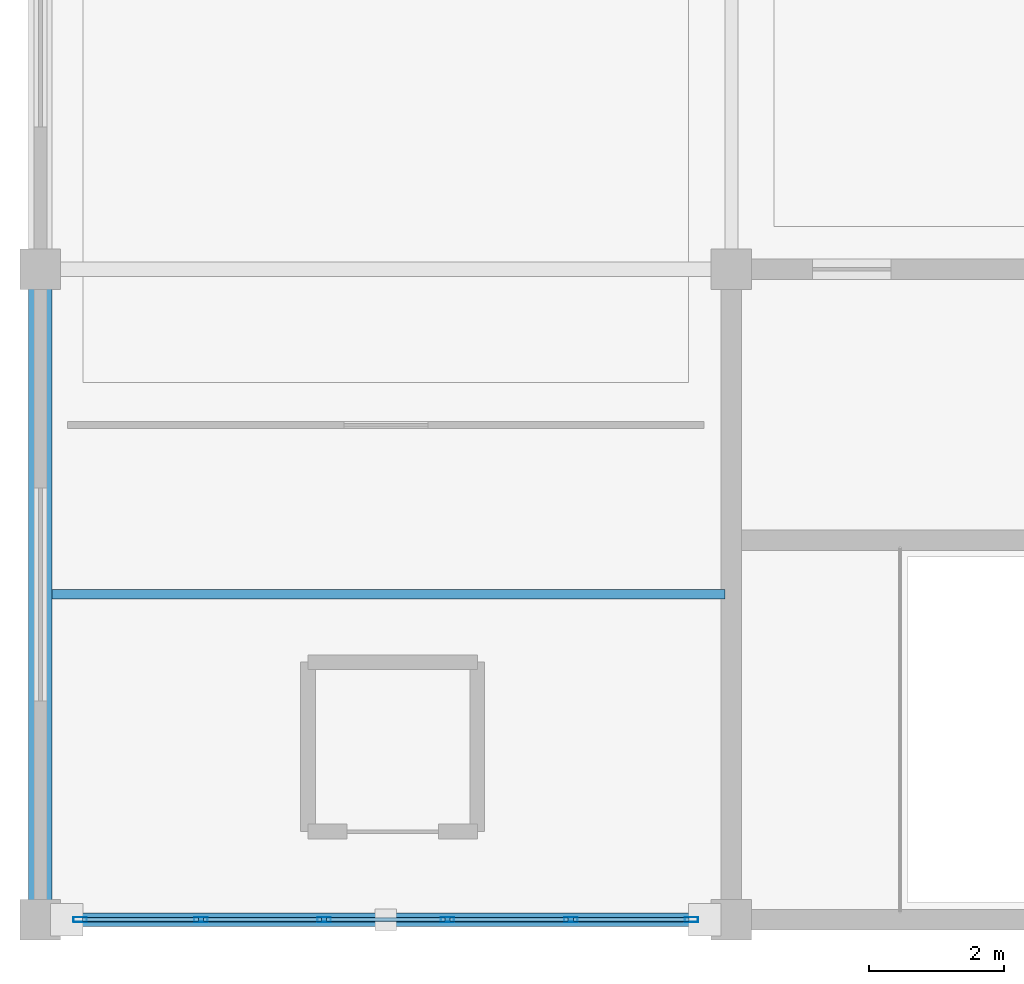
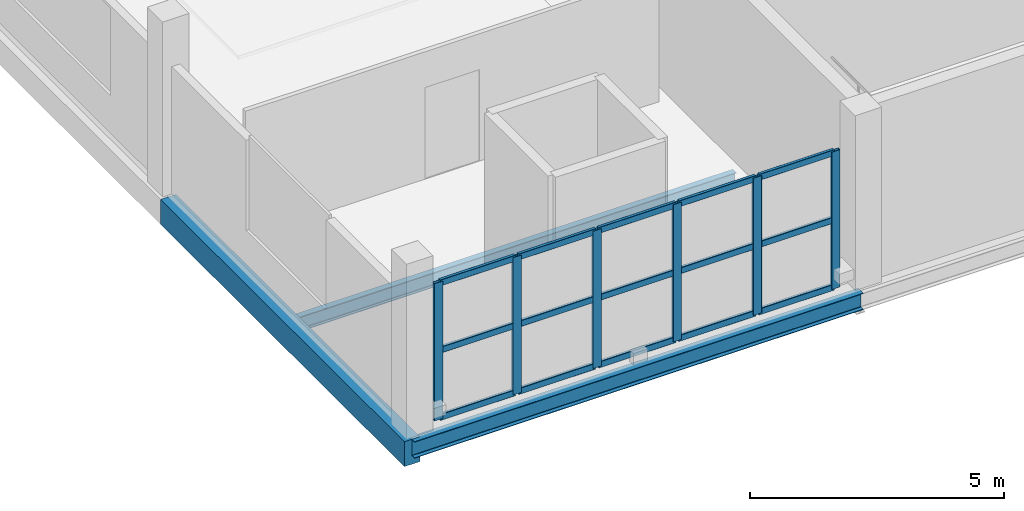
# One storey, part 2 of 12: 21 members, 3 beams, 1 element without a shape of its own.
"""IFC4 building model written with IfcOpenShell, lengths in metres."""

from ifc_helpers import new_model, si_unit, direction, frame, origin, origin_2d, place, context, subcontext, project, spatial, rectangle, hollow_rectangle, i_section, extrude, material, material_profile, profile_set, type_object, element, aggregate, save


model = new_model("IFC4")

# Units and contexts
model_context = context("Model", 3, precision=1e-05, world=origin(), true_north=direction((0.0, 1.0)))
body_context = subcontext(model_context, "Body", "Model", "MODEL_VIEW")
ifc_project = project(units=[si_unit("LENGTHUNIT", "METRE"), si_unit("AREAUNIT", "SQUARE_METRE"), si_unit("VOLUMEUNIT", "CUBIC_METRE"), si_unit("PLANEANGLEUNIT", "RADIAN"), si_unit("MASSUNIT", "GRAM", prefix="KILO")], contexts=[model_context])

# Site, building, storey
site_placement = place(None, origin())
site = spatial("IfcSite", under=ifc_project, at=site_placement, CompositionType="ELEMENT")
building_placement = place(site_placement, origin())
building = spatial("IfcBuilding", under=site, at=building_placement, Name="Brelvane Convention Centre", CompositionType="ELEMENT")
storey_placement = place(building_placement, frame((0.0, 0.0, 23.39990234375)))
storey = spatial("IfcBuildingStorey", under=building, at=storey_placement, Name="L05", CompositionType="ELEMENT", Elevation=23.39990234375)

# Curtain wall, members
ifc_material_1 = material(Name="Anodised Aluminium Alloy 6063-T6", Category="aluminium")
curtain_wall_type = type_object("IfcCurtainWallType", Name="Curtain Wall CW-COURT", PredefinedType="USERDEFINED", material=ifc_material_1)
curtain_wall_placement = place(storey_placement, origin())
curtain_wall = element("IfcCurtainWall", 1, at=curtain_wall_placement, inside=storey, type_object=curtain_wall_type, Name="Curtain Wall CW-COURT L05-V4S-01", ObjectType="UNITISED", PredefinedType="USERDEFINED")
ifc_material_2 = material(Name="Anodised Aluminium Alloy 6063-T6", Category="aluminium")
ifc_material_profile_1 = material_profile(ifc_material_2, hollow_rectangle(XDim=0.074951171875, YDim=0.199951171875, WallThickness=0.0048828125, InnerFilletRadius=0.0048828125, OuterFilletRadius=0.010009765625, at=origin_2d()), Name="ALU-M 200x75x5.0")
ifc_profile_set_1 = profile_set([ifc_material_profile_1], Name="Anodised Aluminium Alloy 6063-T6")
member_type_1 = type_object("IfcMemberType", Name="Curtain Mullion CW-M2", PredefinedType="MULLION", material=ifc_profile_set_1)
member_1_placement = place(storey_placement, frame((0.58740234375, 109.199951171875, 0.0), z_axis=(0.0, 0.0, 1.0), x_axis=(0.0, 1.0, 0.0)))
member_1 = element("IfcMember", 2, at=member_1_placement, type_object=member_type_1, Name="CW-COURT mullion 1", PredefinedType="MULLION", context=body_context, shape_type="SweptSolid", body=[
    extrude(hollow_rectangle(XDim=0.074951171875, YDim=0.199951171875, WallThickness=0.0048828125, InnerFilletRadius=0.0048828125, OuterFilletRadius=0.010009765625, at=origin_2d()), origin(), (0.0, 0.0, 1.0), 3.300048828125),
])
member_2_placement = place(storey_placement, frame((2.3701171875, 109.199951171875, 0.0), z_axis=(0.0, 0.0, 1.0), x_axis=(0.0, 1.0, 0.0)))
member_2 = element("IfcMember", 3, at=member_2_placement, type_object=member_type_1, Name="CW-COURT mullion 2", PredefinedType="MULLION", context=body_context, shape_type="SweptSolid", body=[
    extrude(hollow_rectangle(XDim=0.074951171875, YDim=0.199951171875, WallThickness=0.0048828125, InnerFilletRadius=0.0048828125, OuterFilletRadius=0.010009765625, at=origin_2d()), origin(), (0.0, 0.0, 1.0), 3.300048828125),
])
member_3_placement = place(storey_placement, frame((4.18994140625, 109.199951171875, 0.0), z_axis=(0.0, 0.0, 1.0), x_axis=(0.0, 1.0, 0.0)))
member_3 = element("IfcMember", 4, at=member_3_placement, type_object=member_type_1, Name="CW-COURT mullion 3", PredefinedType="MULLION", context=body_context, shape_type="SweptSolid", body=[
    extrude(hollow_rectangle(XDim=0.074951171875, YDim=0.199951171875, WallThickness=0.0048828125, InnerFilletRadius=0.0048828125, OuterFilletRadius=0.010009765625, at=origin_2d()), origin(), (0.0, 0.0, 1.0), 3.300048828125),
])
member_4_placement = place(storey_placement, frame((6.010009765625, 109.199951171875, 0.0), z_axis=(0.0, 0.0, 1.0), x_axis=(0.0, 1.0, 0.0)))
member_4 = element("IfcMember", 5, at=member_4_placement, type_object=member_type_1, Name="CW-COURT mullion 4", PredefinedType="MULLION", context=body_context, shape_type="SweptSolid", body=[
    extrude(hollow_rectangle(XDim=0.074951171875, YDim=0.199951171875, WallThickness=0.0048828125, InnerFilletRadius=0.0048828125, OuterFilletRadius=0.010009765625, at=origin_2d()), origin(), (0.0, 0.0, 1.0), 3.300048828125),
])
member_5_placement = place(storey_placement, frame((7.830078125, 109.199951171875, 0.0), z_axis=(0.0, 0.0, 1.0), x_axis=(0.0, 1.0, 0.0)))
member_5 = element("IfcMember", 6, at=member_5_placement, type_object=member_type_1, Name="CW-COURT mullion 5", PredefinedType="MULLION", context=body_context, shape_type="SweptSolid", body=[
    extrude(hollow_rectangle(XDim=0.074951171875, YDim=0.199951171875, WallThickness=0.0048828125, InnerFilletRadius=0.0048828125, OuterFilletRadius=0.010009765625, at=origin_2d()), origin(), (0.0, 0.0, 1.0), 3.300048828125),
])
member_6_placement = place(storey_placement, frame((9.612548828125, 109.199951171875, 0.0), z_axis=(0.0, 0.0, 1.0), x_axis=(0.0, 1.0, 0.0)))
member_6 = element("IfcMember", 7, at=member_6_placement, type_object=member_type_1, Name="CW-COURT mullion 6", PredefinedType="MULLION", context=body_context, shape_type="SweptSolid", body=[
    extrude(hollow_rectangle(XDim=0.074951171875, YDim=0.199951171875, WallThickness=0.0048828125, InnerFilletRadius=0.0048828125, OuterFilletRadius=0.010009765625, at=origin_2d()), origin(), (0.0, 0.0, 1.0), 3.300048828125),
])
ifc_material_3 = material(Name="Anodised Aluminium Alloy 6063-T6", Category="aluminium")
ifc_material_profile_2 = material_profile(ifc_material_3, hollow_rectangle(XDim=0.070068359375, YDim=0.14990234375, WallThickness=0.00439453125, InnerFilletRadius=0.00439453125, OuterFilletRadius=0.009033203125, at=origin_2d()), Name="ALU-T 150x70x4.5")
ifc_profile_set_2 = profile_set([ifc_material_profile_2], Name="Anodised Aluminium Alloy 6063-T6")
member_type_2 = type_object("IfcMemberType", Name="Curtain Transom CW-T2", PredefinedType="USERDEFINED", material=ifc_profile_set_2)
member_7_placement = place(storey_placement, frame((0.625, 109.199951171875, 0.03515625), z_axis=(1.0, 0.0, 0.0), x_axis=(0.0, 1.0, 0.0)))
member_7 = element("IfcMember", 8, at=member_7_placement, type_object=member_type_2, Name="CW-COURT transom 1.1", ObjectType="TRANSOM", PredefinedType="USERDEFINED", context=body_context, shape_type="SweptSolid", body=[
    extrude(hollow_rectangle(XDim=0.070068359375, YDim=0.14990234375, WallThickness=0.00439453125, InnerFilletRadius=0.00439453125, OuterFilletRadius=0.009033203125, at=origin_2d()), origin(), (0.0, 0.0, 1.0), 1.70751953125),
])
member_8_placement = place(storey_placement, frame((0.625, 109.199951171875, 1.650146484375), z_axis=(1.0, 0.0, 0.0), x_axis=(0.0, 1.0, 0.0)))
member_8 = element("IfcMember", 9, at=member_8_placement, type_object=member_type_2, Name="CW-COURT transom 1.2", ObjectType="TRANSOM", PredefinedType="USERDEFINED", context=body_context, shape_type="SweptSolid", body=[
    extrude(hollow_rectangle(XDim=0.070068359375, YDim=0.14990234375, WallThickness=0.00439453125, InnerFilletRadius=0.00439453125, OuterFilletRadius=0.009033203125, at=origin_2d()), origin(), (0.0, 0.0, 1.0), 1.70751953125),
])
member_9_placement = place(storey_placement, frame((0.625, 109.199951171875, 3.26513671875), z_axis=(1.0, 0.0, 0.0), x_axis=(0.0, 1.0, 0.0)))
member_9 = element("IfcMember", 10, at=member_9_placement, type_object=member_type_2, Name="CW-COURT transom 1.3", ObjectType="TRANSOM", PredefinedType="USERDEFINED", context=body_context, shape_type="SweptSolid", body=[
    extrude(hollow_rectangle(XDim=0.070068359375, YDim=0.14990234375, WallThickness=0.00439453125, InnerFilletRadius=0.00439453125, OuterFilletRadius=0.009033203125, at=origin_2d()), origin(), (0.0, 0.0, 1.0), 1.70751953125),
])
member_10_placement = place(storey_placement, frame((2.407470703125, 109.199951171875, 0.03515625), z_axis=(1.0, 0.0, 0.0), x_axis=(0.0, 1.0, 0.0)))
member_10 = element("IfcMember", 11, at=member_10_placement, type_object=member_type_2, Name="CW-COURT transom 2.1", ObjectType="TRANSOM", PredefinedType="USERDEFINED", context=body_context, shape_type="SweptSolid", body=[
    extrude(hollow_rectangle(XDim=0.070068359375, YDim=0.14990234375, WallThickness=0.00439453125, InnerFilletRadius=0.00439453125, OuterFilletRadius=0.009033203125, at=origin_2d()), origin(), (0.0, 0.0, 1.0), 1.7451171875),
])
member_11_placement = place(storey_placement, frame((2.407470703125, 109.199951171875, 1.650146484375), z_axis=(1.0, 0.0, 0.0), x_axis=(0.0, 1.0, 0.0)))
member_11 = element("IfcMember", 12, at=member_11_placement, type_object=member_type_2, Name="CW-COURT transom 2.2", ObjectType="TRANSOM", PredefinedType="USERDEFINED", context=body_context, shape_type="SweptSolid", body=[
    extrude(hollow_rectangle(XDim=0.070068359375, YDim=0.14990234375, WallThickness=0.00439453125, InnerFilletRadius=0.00439453125, OuterFilletRadius=0.009033203125, at=origin_2d()), origin(), (0.0, 0.0, 1.0), 1.7451171875),
])
member_12_placement = place(storey_placement, frame((2.407470703125, 109.199951171875, 3.26513671875), z_axis=(1.0, 0.0, 0.0), x_axis=(0.0, 1.0, 0.0)))
member_12 = element("IfcMember", 13, at=member_12_placement, type_object=member_type_2, Name="CW-COURT transom 2.3", ObjectType="TRANSOM", PredefinedType="USERDEFINED", context=body_context, shape_type="SweptSolid", body=[
    extrude(hollow_rectangle(XDim=0.070068359375, YDim=0.14990234375, WallThickness=0.00439453125, InnerFilletRadius=0.00439453125, OuterFilletRadius=0.009033203125, at=origin_2d()), origin(), (0.0, 0.0, 1.0), 1.7451171875),
])
member_13_placement = place(storey_placement, frame((4.2275390625, 109.199951171875, 0.03515625), z_axis=(1.0, 0.0, 0.0), x_axis=(0.0, 1.0, 0.0)))
member_13 = element("IfcMember", 14, at=member_13_placement, type_object=member_type_2, Name="CW-COURT transom 3.1", ObjectType="TRANSOM", PredefinedType="USERDEFINED", context=body_context, shape_type="SweptSolid", body=[
    extrude(hollow_rectangle(XDim=0.070068359375, YDim=0.14990234375, WallThickness=0.00439453125, InnerFilletRadius=0.00439453125, OuterFilletRadius=0.009033203125, at=origin_2d()), origin(), (0.0, 0.0, 1.0), 1.744873046875),
])
member_14_placement = place(storey_placement, frame((4.2275390625, 109.199951171875, 1.650146484375), z_axis=(1.0, 0.0, 0.0), x_axis=(0.0, 1.0, 0.0)))
member_14 = element("IfcMember", 15, at=member_14_placement, type_object=member_type_2, Name="CW-COURT transom 3.2", ObjectType="TRANSOM", PredefinedType="USERDEFINED", context=body_context, shape_type="SweptSolid", body=[
    extrude(hollow_rectangle(XDim=0.070068359375, YDim=0.14990234375, WallThickness=0.00439453125, InnerFilletRadius=0.00439453125, OuterFilletRadius=0.009033203125, at=origin_2d()), origin(), (0.0, 0.0, 1.0), 1.744873046875),
])
member_15_placement = place(storey_placement, frame((4.2275390625, 109.199951171875, 3.26513671875), z_axis=(1.0, 0.0, 0.0), x_axis=(0.0, 1.0, 0.0)))
member_15 = element("IfcMember", 16, at=member_15_placement, type_object=member_type_2, Name="CW-COURT transom 3.3", ObjectType="TRANSOM", PredefinedType="USERDEFINED", context=body_context, shape_type="SweptSolid", body=[
    extrude(hollow_rectangle(XDim=0.070068359375, YDim=0.14990234375, WallThickness=0.00439453125, InnerFilletRadius=0.00439453125, OuterFilletRadius=0.009033203125, at=origin_2d()), origin(), (0.0, 0.0, 1.0), 1.744873046875),
])
member_16_placement = place(storey_placement, frame((6.047607421875, 109.199951171875, 0.03515625), z_axis=(1.0, 0.0, 0.0), x_axis=(0.0, 1.0, 0.0)))
member_16 = element("IfcMember", 17, at=member_16_placement, type_object=member_type_2, Name="CW-COURT transom 4.1", ObjectType="TRANSOM", PredefinedType="USERDEFINED", context=body_context, shape_type="SweptSolid", body=[
    extrude(hollow_rectangle(XDim=0.070068359375, YDim=0.14990234375, WallThickness=0.00439453125, InnerFilletRadius=0.00439453125, OuterFilletRadius=0.009033203125, at=origin_2d()), origin(), (0.0, 0.0, 1.0), 1.744873046875),
])
member_17_placement = place(storey_placement, frame((6.047607421875, 109.199951171875, 1.650146484375), z_axis=(1.0, 0.0, 0.0), x_axis=(0.0, 1.0, 0.0)))
member_17 = element("IfcMember", 18, at=member_17_placement, type_object=member_type_2, Name="CW-COURT transom 4.2", ObjectType="TRANSOM", PredefinedType="USERDEFINED", context=body_context, shape_type="SweptSolid", body=[
    extrude(hollow_rectangle(XDim=0.070068359375, YDim=0.14990234375, WallThickness=0.00439453125, InnerFilletRadius=0.00439453125, OuterFilletRadius=0.009033203125, at=origin_2d()), origin(), (0.0, 0.0, 1.0), 1.744873046875),
])
member_18_placement = place(storey_placement, frame((6.047607421875, 109.199951171875, 3.26513671875), z_axis=(1.0, 0.0, 0.0), x_axis=(0.0, 1.0, 0.0)))
member_18 = element("IfcMember", 19, at=member_18_placement, type_object=member_type_2, Name="CW-COURT transom 4.3", ObjectType="TRANSOM", PredefinedType="USERDEFINED", context=body_context, shape_type="SweptSolid", body=[
    extrude(hollow_rectangle(XDim=0.070068359375, YDim=0.14990234375, WallThickness=0.00439453125, InnerFilletRadius=0.00439453125, OuterFilletRadius=0.009033203125, at=origin_2d()), origin(), (0.0, 0.0, 1.0), 1.744873046875),
])
member_19_placement = place(storey_placement, frame((7.867431640625, 109.199951171875, 0.03515625), z_axis=(1.0, 0.0, 0.0), x_axis=(0.0, 1.0, 0.0)))
member_19 = element("IfcMember", 20, at=member_19_placement, type_object=member_type_2, Name="CW-COURT transom 5.1", ObjectType="TRANSOM", PredefinedType="USERDEFINED", context=body_context, shape_type="SweptSolid", body=[
    extrude(hollow_rectangle(XDim=0.070068359375, YDim=0.14990234375, WallThickness=0.00439453125, InnerFilletRadius=0.00439453125, OuterFilletRadius=0.009033203125, at=origin_2d()), origin(), (0.0, 0.0, 1.0), 1.70751953125),
])
member_20_placement = place(storey_placement, frame((7.867431640625, 109.199951171875, 1.650146484375), z_axis=(1.0, 0.0, 0.0), x_axis=(0.0, 1.0, 0.0)))
member_20 = element("IfcMember", 21, at=member_20_placement, type_object=member_type_2, Name="CW-COURT transom 5.2", ObjectType="TRANSOM", PredefinedType="USERDEFINED", context=body_context, shape_type="SweptSolid", body=[
    extrude(hollow_rectangle(XDim=0.070068359375, YDim=0.14990234375, WallThickness=0.00439453125, InnerFilletRadius=0.00439453125, OuterFilletRadius=0.009033203125, at=origin_2d()), origin(), (0.0, 0.0, 1.0), 1.70751953125),
])
member_21_placement = place(storey_placement, frame((7.867431640625, 109.199951171875, 3.26513671875), z_axis=(1.0, 0.0, 0.0), x_axis=(0.0, 1.0, 0.0)))
member_21 = element("IfcMember", 22, at=member_21_placement, type_object=member_type_2, Name="CW-COURT transom 5.3", ObjectType="TRANSOM", PredefinedType="USERDEFINED", context=body_context, shape_type="SweptSolid", body=[
    extrude(hollow_rectangle(XDim=0.070068359375, YDim=0.14990234375, WallThickness=0.00439453125, InnerFilletRadius=0.00439453125, OuterFilletRadius=0.009033203125, at=origin_2d()), origin(), (0.0, 0.0, 1.0), 1.70751953125),
])
aggregate(curtain_wall, [member_1, member_2, member_3, member_4, member_5, member_6, member_7, member_8, member_9, member_10, member_11, member_12, member_13, member_14, member_15, member_16, member_17, member_18, member_19, member_20, member_21])

# Beams
ifc_material_4 = material(Name="Concrete M40", Category="concrete")
ifc_material_profile_3 = material_profile(ifc_material_4, rectangle(XDim=0.35009765625, YDim=0.60009765625, at=origin_2d()), Name="RC 350x600")
ifc_profile_set_3 = profile_set([ifc_material_profile_3], Name="Concrete M40")
beam_type_1 = type_object("IfcBeamType", Name="RC Beam B-RC8 (RC 350x600)", PredefinedType="BEAM", material=ifc_profile_set_3)
beam_1_placement = place(storey_placement, frame((0.0, 109.199951171875, -0.5849609375), z_axis=(0.0, 1.0, 0.0), x_axis=(-1.0, 0.0, 0.0)))
element("IfcBeam", 23, at=beam_1_placement, inside=storey, type_object=beam_type_1, Name="L05 Girder 1/L-M", PredefinedType="BEAM", context=body_context, shape_type="SweptSolid", body=[
    extrude(rectangle(XDim=0.35009765625, YDim=0.60009765625, at=origin_2d()), origin(), (0.0, 0.0, 1.0), 9.60009765625),
])
ifc_material_5 = material(Name="Steel E350 (350 MPa)", Category="steel")
ifc_material_profile_4 = material_profile(ifc_material_5, i_section(OverallWidth=0.139892578125, OverallDepth=0.35009765625, WebThickness=0.008056640625, FlangeThickness=0.01416015625, FilletRadius=0.013916015625, at=origin_2d()), Name="ISMB 350")
ifc_profile_set_4 = profile_set([ifc_material_profile_4], Name="Steel E350 (350 MPa)")
beam_type_2 = type_object("IfcBeamType", Name="Steel Joist J-ST2 (ISMB 350)", PredefinedType="JOIST", material=ifc_profile_set_4)
beam_2_placement = place(storey_placement, frame((0.175048828125, 114.0, -0.4599609375), z_axis=(1.0, 0.0, 0.0), x_axis=(0.0, 1.0, 0.0)))
element("IfcBeam", 24, at=beam_2_placement, inside=storey, type_object=beam_type_2, Name="L05 Secondary Joist 1-2/LM", PredefinedType="JOIST", context=body_context, shape_type="SweptSolid", body=[
    extrude(i_section(OverallWidth=0.139892578125, OverallDepth=0.35009765625, WebThickness=0.008056640625, FlangeThickness=0.01416015625, FilletRadius=0.013916015625, at=origin_2d()), origin(), (0.0, 0.0, 1.0), 9.929931640625),
])
ifc_material_6 = material(Name="Steel E350 (350 MPa)", Category="steel")
ifc_material_profile_5 = material_profile(ifc_material_6, i_section(OverallWidth=0.199951171875, OverallDepth=0.39990234375, WebThickness=0.008544921875, FlangeThickness=0.012939453125, FilletRadius=0.013916015625, at=origin_2d()), Name="ISWB 400")
ifc_profile_set_5 = profile_set([ifc_material_profile_5], Name="Steel E350 (350 MPa)")
beam_type_3 = type_object("IfcBeamType", Name="Steel Spandrel SP-ST2 (ISWB 400)", PredefinedType="SPANDREL", material=ifc_profile_set_5)
beam_3_placement = place(storey_placement, frame((0.0, 109.199951171875, -0.48486328125), z_axis=(1.0, 0.0, 0.0), x_axis=(0.0, 1.0, 0.0)))
element("IfcBeam", 25, at=beam_3_placement, inside=storey, type_object=beam_type_3, Name="L05 Beam 1-2/L", PredefinedType="SPANDREL", context=body_context, shape_type="SweptSolid", body=[
    extrude(i_section(OverallWidth=0.199951171875, OverallDepth=0.39990234375, WebThickness=0.008544921875, FlangeThickness=0.012939453125, FilletRadius=0.013916015625, at=origin_2d()), origin(), (0.0, 0.0, 1.0), 10.199951171875),
])

save(model, "model.ifc")
